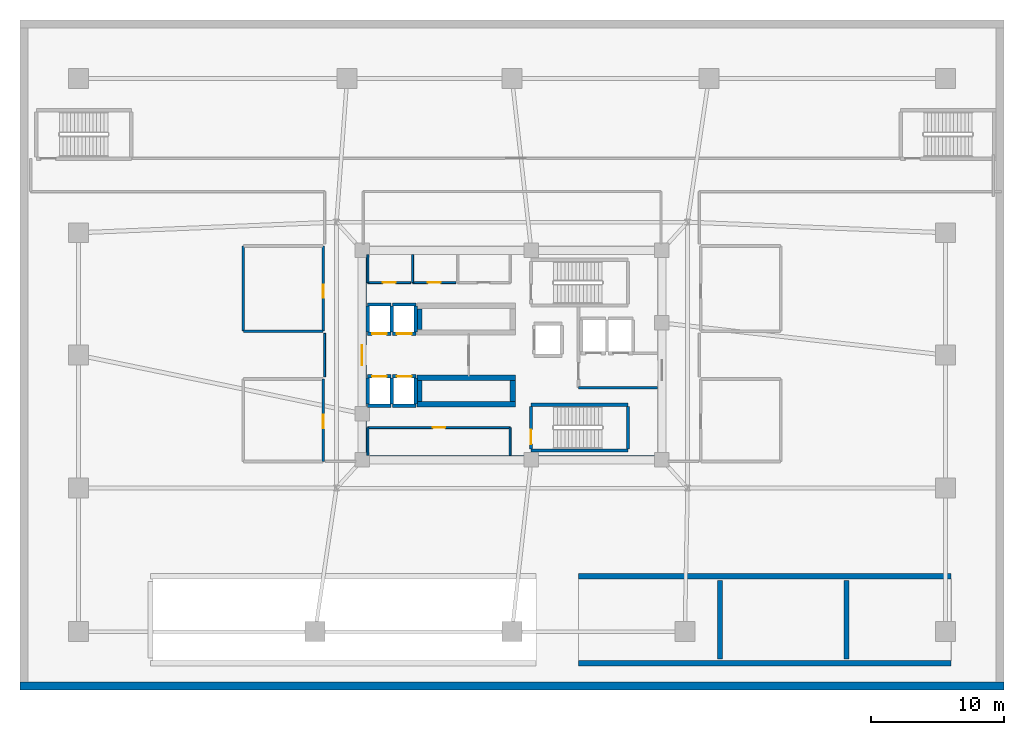
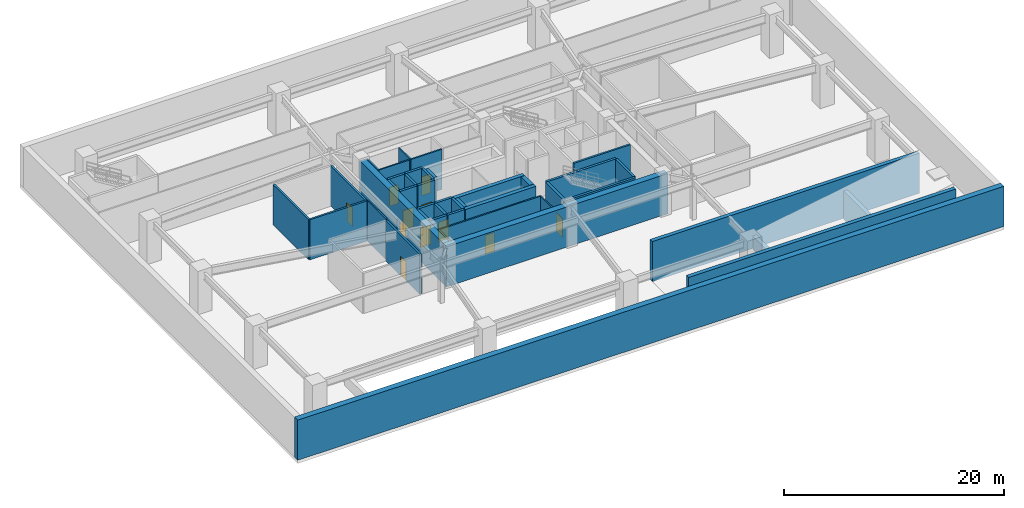
# One storey, part 3 of 7: 43 walls, 11 doors, 11 openings.
"""IFC4 building model written with IfcOpenShell, lengths in metres."""

import ifcopenshell
import ifcopenshell.guid

model = None  # the IFC model being written
_history = None  # IfcOwnerHistory: only IFC2X3 demands one
_inside = {}  # id of a spatial element -> (the spatial element, [elements in it])
_under = {}  # id of a project, library or spatial element -> (it, [spatial elements below it])
_declared = {}  # id of a project -> (the project, [libraries it declares])
_typed = {}  # id of a type object -> (the type object, [elements of that type])
_made_of = {}  # id of a material, layer set ... -> (it, [elements and type objects made of it])


def new_model(schema):
    """Start an empty IFC model of exactly this schema.

    Asked for "IFC4X3", IfcOpenShell would pick the latest addendum, in which some entities
    have other attributes; the version numbers below select the first issue.
    IFC2X3 requires an IfcOwnerHistory on every rooted entity: one is made here for all.
    """
    global model, _history
    if schema == "IFC4X3":
        model = ifcopenshell.file(schema_version=(4, 3, 0, 0))
    else:
        model = ifcopenshell.file(schema=schema)
    _inside.clear()
    _under.clear()
    _declared.clear()
    _typed.clear()
    _made_of.clear()
    _history = None
    if model.schema == "IFC2X3":
        org = make("IfcOrganization", Name="unknown")
        user = make(
            "IfcPersonAndOrganization",
            ThePerson=make("IfcPerson", FamilyName="unknown"),
            TheOrganization=org,
        )
        app = make(
            "IfcApplication",
            ApplicationDeveloper=org,
            Version="unknown",
            ApplicationFullName="unknown",
            ApplicationIdentifier="unknown",
        )
        _history = make(
            "IfcOwnerHistory",
            OwningUser=user,
            OwningApplication=app,
            ChangeAction="ADDED",
            CreationDate=0,
        )
    return model


def make(cls, **values):
    """One entity of the class cls with the attributes given. An attribute that is None is left unset."""
    return model.create_entity(
        cls, **{name: value for name, value in values.items() if value is not None}
    )


def rooted(cls, **values):
    """An entity with a GlobalId (a new one), such as an element, a storey or a relation."""
    return make(cls, GlobalId=ifcopenshell.guid.new(), OwnerHistory=_history, **values)


def si_unit(unit_type, name, prefix=None):
    """IfcSIUnit, for example si_unit("LENGTHUNIT", "METRE", prefix="MILLI")."""
    return make("IfcSIUnit", UnitType=unit_type, Prefix=prefix, Name=name)


def assignment(units):
    """IfcUnitAssignment: the units of a project."""
    return None if units is None else make("IfcUnitAssignment", Units=units)


def point(xyz):
    """IfcCartesianPoint."""
    return None if xyz is None else make("IfcCartesianPoint", Coordinates=xyz)


def direction(xyz):
    """IfcDirection."""
    return None if xyz is None else make("IfcDirection", DirectionRatios=xyz)


def frame(location, z_axis=None, x_axis=None):
    """IfcAxis2Placement3D, a coordinate frame: its origin and axes. An axis left out is left unset."""
    return make(
        "IfcAxis2Placement3D",
        Location=point(location),
        Axis=direction(z_axis),
        RefDirection=direction(x_axis),
    )


def frame_2d(location, x_axis=None):
    """IfcAxis2Placement2D, a coordinate frame in the plane: its origin and x axis."""
    return make(
        "IfcAxis2Placement2D", Location=point(location), RefDirection=direction(x_axis)
    )


def origin():
    """The frame at (0, 0, 0) with its axes left unset."""
    return frame((0.0, 0.0, 0.0))


def place(relative_to, where):
    """IfcLocalPlacement: puts the frame where relative to a parent placement (None: the world)."""
    return make(
        "IfcLocalPlacement", PlacementRelTo=relative_to, RelativePlacement=where
    )


def context(
    kind, dimensions, precision=None, world=None, true_north=None, identifier=None
):
    """IfcGeometricRepresentationContext, for example the 3D "Model" context."""
    return make(
        "IfcGeometricRepresentationContext",
        ContextIdentifier=identifier,
        ContextType=kind,
        CoordinateSpaceDimension=dimensions,
        Precision=precision,
        WorldCoordinateSystem=world,
        TrueNorth=true_north,
    )


def subcontext(parent, identifier, kind, view, scale=None):
    """IfcGeometricRepresentationSubContext, for example "Body" below "Model"."""
    return make(
        "IfcGeometricRepresentationSubContext",
        ContextIdentifier=identifier,
        ContextType=kind,
        ParentContext=parent,
        TargetScale=scale,
        TargetView=view,
    )


def project(units=None, contexts=None):
    """IfcProject with its units and contexts."""
    return rooted(
        "IfcProject",
        Name="project",
        RepresentationContexts=contexts,
        UnitsInContext=assignment(units),
    )


def spatial(cls, under=None, at=None, **own):
    """A site, building, storey or space (cls), placed at a placement, below another one or the project."""
    s = rooted(cls, ObjectPlacement=at, **own)
    if under is not None:
        _under.setdefault(under.id(), (under, []))[1].append(s)
    return s


def profile(cls, at=None, kind="AREA", **sizes):
    """A parametric profile (cls). Its sizes go by their IFC names, for example OverallWidth=200.0."""
    return make(cls, ProfileType=kind, Position=at, **sizes)


def rectangle(**sizes):
    """IfcRectangleProfileDef."""
    return profile("IfcRectangleProfileDef", **sizes)


def extrude(swept, where, along, depth):
    """IfcExtrudedAreaSolid: the profile swept, set in the frame where, extruded along a direction by depth."""
    return make(
        "IfcExtrudedAreaSolid",
        SweptArea=swept,
        Position=where,
        ExtrudedDirection=direction(along),
        Depth=depth,
    )


def shape(context_of_items, identifier, shape_type, items):
    """IfcShapeRepresentation: the items that make up one representation, for example the "Body"."""
    return make(
        "IfcShapeRepresentation",
        ContextOfItems=context_of_items,
        RepresentationIdentifier=identifier,
        RepresentationType=shape_type,
        Items=items,
    )


def material(Name=None, Category=None):
    """IfcMaterial."""
    return make("IfcMaterial", Name=Name, Category=Category)


def layer(
    of_material, thickness, ventilated=None, Name=None, Category=None, Priority=None
):
    """IfcMaterialLayer: one layer of a wall or slab, of a material (None: an air gap)."""
    return make(
        "IfcMaterialLayer",
        Material=of_material,
        LayerThickness=thickness,
        IsVentilated=ventilated,
        Name=Name,
        Category=Category,
        Priority=Priority,
    )


def layer_set(layers, Name=None):
    """IfcMaterialLayerSet."""
    return make("IfcMaterialLayerSet", MaterialLayers=layers, LayerSetName=Name)


def made_of(thing, what):
    """Note that an element or type object is made of a material, layer set ...; save() writes the relation."""
    if what is not None:
        _made_of.setdefault(what.id(), (what, []))[1].append(thing)
    return thing


def type_object(cls, material=None, **own):
    """A type object (cls), such as IfcWallType, which elements share."""
    return made_of(rooted(cls, **own), material)


def element(
    cls,
    number,
    at=None,
    inside=None,
    cuts=None,
    type_object=None,
    material=None,
    context=None,
    identifier="Body",
    shape_type=None,
    held_by="IfcProductDefinitionShape",
    body=None,
    shapes=None,
    **own,
):
    """One element of the class cls, such as IfcWall. Its Tag is "e" and its number.

    at: its placement. inside: the storey or other place that contains it. cuts: it is an
    opening in that element (IfcRelVoidsElement). A single representation is given by context,
    identifier, shape_type and body (its items); several are given by shapes. held_by: the class
    of the entity that holds the representations. save() writes the other relations.
    """
    e = rooted(cls, Tag="e%d" % number, ObjectPlacement=at, **own)
    if body is not None:
        shapes = [shape(context, identifier, shape_type, body)]
    if shapes is not None:
        e.Representation = make(held_by, Representations=shapes)
    if inside is not None:
        _inside.setdefault(inside.id(), (inside, []))[1].append(e)
    if cuts is not None:
        rooted(
            "IfcRelVoidsElement", RelatingBuildingElement=cuts, RelatedOpeningElement=e
        )
    if type_object is not None:
        _typed.setdefault(type_object.id(), (type_object, []))[1].append(e)
    return made_of(e, material)


def fill(opening, filler):
    """IfcRelFillsElement: the door or window that sits in an opening."""
    return rooted(
        "IfcRelFillsElement",
        RelatingOpeningElement=opening,
        RelatedBuildingElement=filler,
    )


def aggregate(whole, parts):
    """IfcRelAggregates: a whole, such as a stair, and the parts it consists of."""
    return rooted("IfcRelAggregates", RelatingObject=whole, RelatedObjects=parts)


def save(model, path):
    """Write the relations noted so far, then the file.

    IfcRelAggregates (storeys below a building ...), IfcRelContainedInSpatialStructure (elements
    in a storey), IfcRelDefinesByType, IfcRelAssociatesMaterial and IfcRelDeclares: one each for
    every whole, place, type object, material and project.
    """
    for whole, parts in _under.values():
        aggregate(whole, parts)
    for where, things in _inside.values():
        rooted(
            "IfcRelContainedInSpatialStructure",
            RelatedElements=things,
            RelatingStructure=where,
        )
    for kind, things in _typed.values():
        rooted("IfcRelDefinesByType", RelatedObjects=things, RelatingType=kind)
    for what, things in _made_of.values():
        rooted("IfcRelAssociatesMaterial", RelatedObjects=things, RelatingMaterial=what)
    for by, libraries in _declared.values():
        rooted("IfcRelDeclares", RelatingContext=by, RelatedDefinitions=libraries)
    model.write(path)


model = new_model("IFC4")

# Units and contexts
model_context = context("Model", 3, precision=1e-05, world=origin(), true_north=direction((0.0, 1.0)))
body_context = subcontext(model_context, "Body", "Model", "MODEL_VIEW")
ifc_project = project(units=[si_unit("LENGTHUNIT", "METRE"), si_unit("AREAUNIT", "SQUARE_METRE"), si_unit("VOLUMEUNIT", "CUBIC_METRE"), si_unit("PLANEANGLEUNIT", "RADIAN"), si_unit("MASSUNIT", "GRAM", prefix="KILO")], contexts=[model_context])

# Site, building, storey
site_placement = place(None, origin())
site = spatial("IfcSite", under=ifc_project, at=site_placement, CompositionType="ELEMENT")
building_placement = place(site_placement, origin())
building = spatial("IfcBuilding", under=site, at=building_placement, Name="Zulverin Broadcast Headquarters", CompositionType="ELEMENT")
storey_placement = place(building_placement, frame((0.0, 0.0, -4.800048828125)))
storey = spatial("IfcBuildingStorey", under=building, at=storey_placement, Name="B1", CompositionType="ELEMENT", Elevation=-4.800048828125)

# Wall
ifc_material_1 = material(Name="Concrete C60/75", Category="concrete")
ifc_layer_1 = layer(ifc_material_1, 0.64990234375, Name="Concrete C60/75", Category="concrete")
ifc_layer_set_1 = layer_set([ifc_layer_1], Name="Concrete C60/75")
wall_type_1 = type_object("IfcWallType", Name="WL-CORE-650", PredefinedType="SHEAR", material=ifc_layer_set_1)
wall_1_placement = place(storey_placement, frame((25.39990234375, 17.324951171875, 0.0), z_axis=(0.0, 0.0, 1.0), x_axis=(1.0, 0.0, 0.0)))
element("IfcWall", 1, at=wall_1_placement, inside=storey, type_object=wall_type_1, Name="B1 Core South Shear Wall", PredefinedType="SHEAR", context=body_context, shape_type="SweptSolid", body=[
    extrude(rectangle(XDim=23.2001953125, YDim=0.64990234375, at=frame_2d((11.60009765625, 0.0))), origin(), (0.0, 0.0, 1.0), 4.449951171875),
])

# Wall, opening, door
wall_2_placement = place(storey_placement, frame((25.72509765625, 17.64990234375, 0.0), z_axis=(0.0, 0.0, 1.0), x_axis=(0.0, 1.0, 0.0)))
wall_2 = element("IfcWall", 2, at=wall_2_placement, inside=storey, type_object=wall_type_1, Name="B1 Core West Shear Wall", PredefinedType="SHEAR", context=body_context, shape_type="SweptSolid", body=[
    extrude(rectangle(XDim=15.10009765625, YDim=0.64990234375, at=frame_2d((7.550048828125, 0.0))), origin(), (0.0, 0.0, 1.0), 4.449951171875),
])
opening_1_placement = place(wall_2_placement, frame((6.800048828125, 0.0, 0.0)))
opening_1 = element("IfcOpeningElement", 3, at=opening_1_placement, cuts=wall_2, Name="Opening D-B1-CW1", PredefinedType="OPENING", context=body_context, shape_type="SweptSolid", body=[
    extrude(rectangle(XDim=1.5, YDim=2.14990234375, at=frame_2d((0.75, 1.074951171875))), frame((0.0, 0.3349609375, 0.0), z_axis=(0.0, -1.0, 0.0), x_axis=(1.0, 0.0, 0.0)), (0.0, 0.0, 1.0), 0.669921875),
])
ifc_material_2 = material(Name="Fire-rated glazed steel frame", Category="steel")
door_type_1 = type_object("IfcDoorType", Name="DR-COR-1500", OperationType="DOUBLE_DOOR_SINGLE_SWING", PredefinedType="DOOR", material=ifc_material_2)
door_1_placement = place(opening_1_placement, origin())
door_1 = element("IfcDoor", 4, at=door_1_placement, inside=storey, type_object=door_type_1, Name="B1 Central Lift Lobby West Portal Door", OperationType="DOUBLE_DOOR_SINGLE_SWING", OverallHeight=2.14990234375, OverallWidth=1.5, PredefinedType="DOOR", context=body_context, shape_type="SweptSolid", body=[
    extrude(rectangle(XDim=1.5, YDim=2.14990234375, at=frame_2d((0.75, 1.074951171875))), frame((0.0, 0.02490234375, 0.0), z_axis=(0.0, -1.0, 0.0), x_axis=(1.0, 0.0, 0.0)), (0.0, 0.0, 1.0), 0.050048828125),
])
fill(opening_1, door_1)

# Wall
ifc_material_3 = material(Name="Concrete C40/50", Category="concrete")
ifc_layer_2 = layer(ifc_material_3, 0.199951171875, Name="Concrete C40/50", Category="concrete")
ifc_layer_set_2 = layer_set([ifc_layer_2], Name="Concrete C40/50")
wall_type_2 = type_object("IfcWallType", Name="WL-FFL-200", PredefinedType="SOLIDWALL", material=ifc_layer_set_2)
wall_3_placement = place(storey_placement, frame((42.0, 22.75, 0.0), z_axis=(0.0, 0.0, 1.0), x_axis=(1.0, 0.0, 0.0)))
element("IfcWall", 5, at=wall_3_placement, inside=storey, type_object=wall_type_2, Name="B1 Firefighting Lift Lobby South Wall", PredefinedType="SOLIDWALL", context=body_context, shape_type="SweptSolid", body=[
    extrude(rectangle(XDim=5.949951171875, YDim=0.199951171875, at=frame_2d((2.97509765625, 0.0))), origin(), (0.0, 0.0, 1.0), 4.449951171875),
])

# Wall, opening, door
wall_4_placement = place(storey_placement, frame((22.800048828125, 17.199951171875, 0.0), z_axis=(0.0, 0.0, 1.0), x_axis=(0.0, 1.0, 0.0)))
wall_4 = element("IfcWall", 6, at=wall_4_placement, inside=storey, type_object=wall_type_2, Name="B1 Main HV Switchgear & Transformer Room E Wall", PredefinedType="SOLIDWALL", context=body_context, shape_type="SweptSolid", body=[
    extrude(rectangle(XDim=6.199951171875, YDim=0.199951171875, at=frame_2d((3.10009765625, 0.0))), origin(), (0.0, 0.0, 1.0), 4.449951171875),
])
opening_2_placement = place(wall_4_placement, frame((2.5, 0.0, 0.0)))
opening_2 = element("IfcOpeningElement", 7, at=opening_2_placement, cuts=wall_4, Name="Opening D-B1-PLT1", PredefinedType="OPENING", context=body_context, shape_type="SweptSolid", body=[
    extrude(rectangle(XDim=1.0, YDim=2.1201171875, at=frame_2d((0.5, 1.06005859375))), frame((0.0, 0.10986328125, 0.0), z_axis=(0.0, -1.0, 0.0), x_axis=(1.0, 0.0, 0.0)), (0.0, 0.0, 1.0), 0.219970703125),
])
ifc_material_4 = material(Name="Hardwood veneer acoustic leaf", Category="wood")
door_type_2 = type_object("IfcDoorType", Name="DR-OFF-1000", OperationType="SINGLE_SWING_LEFT", PredefinedType="DOOR", material=ifc_material_4)
door_2_placement = place(opening_2_placement, origin())
door_2 = element("IfcDoor", 8, at=door_2_placement, inside=storey, type_object=door_type_2, Name="B1 Main HV Switchgear & Transformer Room Door", OperationType="SINGLE_SWING_RIGHT", OverallHeight=2.1201171875, OverallWidth=1.0, PredefinedType="DOOR", context=body_context, shape_type="SweptSolid", body=[
    extrude(rectangle(XDim=1.0, YDim=2.1201171875, at=frame_2d((0.5, 1.06005859375))), frame((0.0, 0.02490234375, 0.0), z_axis=(0.0, -1.0, 0.0), x_axis=(1.0, 0.0, 0.0)), (0.0, 0.0, 1.0), 0.050048828125),
])
fill(opening_2, door_2)

# Walls
wall_5_placement = place(storey_placement, frame((16.800048828125, 27.0, 0.0), z_axis=(0.0, 0.0, 1.0), x_axis=(1.0, 0.0, 0.0)))
element("IfcWall", 9, at=wall_5_placement, inside=storey, type_object=wall_type_2, Name="B1 Standby Diesel Generator Plant Room S Wall", PredefinedType="SOLIDWALL", context=body_context, shape_type="SweptSolid", body=[
    extrude(rectangle(XDim=6.0, YDim=0.199951171875, at=frame_2d((3.0, 0.0))), origin(), (0.0, 0.0, 1.0), 4.449951171875),
])
wall_6_placement = place(storey_placement, frame((16.800048828125, 27.0, 0.0), z_axis=(0.0, 0.0, 1.0), x_axis=(0.0, 1.0, 0.0)))
element("IfcWall", 10, at=wall_6_placement, inside=storey, type_object=wall_type_2, Name="B1 Standby Diesel Generator Plant Room W Wall", PredefinedType="SOLIDWALL", context=body_context, shape_type="SweptSolid", body=[
    extrude(rectangle(XDim=6.39990234375, YDim=0.199951171875, at=frame_2d((3.199951171875, 0.0))), origin(), (0.0, 0.0, 1.0), 4.449951171875),
])

# Wall, opening, door
wall_7_placement = place(storey_placement, frame((22.800048828125, 27.0, 0.0), z_axis=(0.0, 0.0, 1.0), x_axis=(0.0, 1.0, 0.0)))
wall_7 = element("IfcWall", 11, at=wall_7_placement, inside=storey, type_object=wall_type_2, Name="B1 Standby Diesel Generator Plant Room E Wall", PredefinedType="SOLIDWALL", context=body_context, shape_type="SweptSolid", body=[
    extrude(rectangle(XDim=6.39990234375, YDim=0.199951171875, at=frame_2d((3.199951171875, 0.0))), origin(), (0.0, 0.0, 1.0), 4.449951171875),
])
opening_3_placement = place(wall_7_placement, frame((2.5, 0.0, 0.0)))
opening_3 = element("IfcOpeningElement", 12, at=opening_3_placement, cuts=wall_7, Name="Opening D-B1-PLT2", PredefinedType="OPENING", context=body_context, shape_type="SweptSolid", body=[
    extrude(rectangle(XDim=1.0, YDim=2.1201171875, at=frame_2d((0.5, 1.06005859375))), frame((0.0, 0.10986328125, 0.0), z_axis=(0.0, -1.0, 0.0), x_axis=(1.0, 0.0, 0.0)), (0.0, 0.0, 1.0), 0.219970703125),
])
door_3_placement = place(opening_3_placement, origin())
door_3 = element("IfcDoor", 13, at=door_3_placement, inside=storey, type_object=door_type_2, Name="B1 Standby Diesel Generator Plant Room Door", OperationType="SINGLE_SWING_LEFT", OverallHeight=2.1201171875, OverallWidth=1.0, PredefinedType="DOOR", context=body_context, shape_type="SweptSolid", body=[
    extrude(rectangle(XDim=1.0, YDim=2.1201171875, at=frame_2d((0.5, 1.06005859375))), frame((0.0, 0.02490234375, 0.0), z_axis=(0.0, -1.0, 0.0), x_axis=(1.0, 0.0, 0.0)), (0.0, 0.0, 1.0), 0.050048828125),
])
fill(opening_3, door_3)

ifc_material_5 = material(Name="Fire-rated gypsum stud partition", Category="gypsum")
ifc_layer_3 = layer(ifc_material_5, 0.14990234375, Name="Fire-rated gypsum stud partition", Category="gypsum")
ifc_layer_set_3 = layer_set([ifc_layer_3], Name="Fire-rated gypsum stud partition")
wall_type_3 = type_object("IfcWallType", Name="WL-PART-150", PredefinedType="PARTITIONING", material=ifc_layer_set_3)
wall_8_placement = place(storey_placement, frame((26.169921875, 30.64990234375, 0.0), z_axis=(0.0, 0.0, 1.0), x_axis=(1.0, 0.0, 0.0)))
wall_8 = element("IfcWall", 14, at=wall_8_placement, inside=storey, type_object=wall_type_3, Name="B1 Core Accessible WC Front Wall", PredefinedType="PARTITIONING", context=body_context, shape_type="SweptSolid", body=[
    extrude(rectangle(XDim=3.2001953125, YDim=0.14990234375, at=frame_2d((1.60009765625, 0.0))), origin(), (0.0, 0.0, 1.0), 4.449951171875),
])
opening_4_placement = place(wall_8_placement, frame((1.125, 0.0, 0.0)))
opening_4 = element("IfcOpeningElement", 15, at=opening_4_placement, cuts=wall_8, Name="Opening D-B1-NC1", PredefinedType="OPENING", context=body_context, shape_type="SweptSolid", body=[
    extrude(rectangle(XDim=0.949951171875, YDim=2.10009765625, at=frame_2d((0.47509765625, 1.050048828125))), frame((0.0, 0.0849609375, 0.0), z_axis=(0.0, -1.0, 0.0), x_axis=(1.0, 0.0, 0.0)), (0.0, 0.0, 1.0), 0.169921875),
])
ifc_material_6 = material(Name="Fire-rated moisture-resistant laminate leaf", Category="wood")
door_type_3 = type_object("IfcDoorType", Name="DR-WC-950", OperationType="SINGLE_SWING_LEFT", PredefinedType="DOOR", material=ifc_material_6)
door_4_placement = place(opening_4_placement, origin())
door_4 = element("IfcDoor", 16, at=door_4_placement, inside=storey, type_object=door_type_3, Name="B1 Accessible WC Door", OperationType="SINGLE_SWING_LEFT", OverallHeight=2.10009765625, OverallWidth=0.949951171875, PredefinedType="DOOR", context=body_context, shape_type="SweptSolid", body=[
    extrude(rectangle(XDim=0.949951171875, YDim=2.10009765625, at=frame_2d((0.47509765625, 1.050048828125))), frame((0.0, 0.02490234375, 0.0), z_axis=(0.0, -1.0, 0.0), x_axis=(1.0, 0.0, 0.0)), (0.0, 0.0, 1.0), 0.050048828125),
])
fill(opening_4, door_4)

# Wall
wall_9_placement = place(storey_placement, frame((26.169921875, 30.64990234375, 0.0), z_axis=(0.0, 0.0, 1.0), x_axis=(0.0, 1.0, 0.0)))
element("IfcWall", 17, at=wall_9_placement, inside=storey, type_object=wall_type_3, Name="B1 Core Accessible WC West Wall", PredefinedType="PARTITIONING", context=body_context, shape_type="SweptSolid", body=[
    extrude(rectangle(XDim=2.10009765625, YDim=0.14990234375, at=frame_2d((1.050048828125, 0.0))), origin(), (0.0, 0.0, 1.0), 4.449951171875),
])

# Wall, opening, door
wall_10_placement = place(storey_placement, frame((29.530029296875, 30.64990234375, 0.0), z_axis=(0.0, 0.0, 1.0), x_axis=(1.0, 0.0, 0.0)))
wall_10 = element("IfcWall", 18, at=wall_10_placement, inside=storey, type_object=wall_type_3, Name="B1 Core Male WC Front Wall", PredefinedType="PARTITIONING", context=body_context, shape_type="SweptSolid", body=[
    extrude(rectangle(XDim=3.239990234375, YDim=0.14990234375, at=frame_2d((1.6201171875, 0.0))), origin(), (0.0, 0.0, 1.0), 4.449951171875),
])
opening_5_placement = place(wall_10_placement, frame((1.14501953125, 0.0, 0.0)))
opening_5 = element("IfcOpeningElement", 19, at=opening_5_placement, cuts=wall_10, Name="Opening D-B1-NC2", PredefinedType="OPENING", context=body_context, shape_type="SweptSolid", body=[
    extrude(rectangle(XDim=0.949951171875, YDim=2.10009765625, at=frame_2d((0.47509765625, 1.050048828125))), frame((0.0, 0.0849609375, 0.0), z_axis=(0.0, -1.0, 0.0), x_axis=(1.0, 0.0, 0.0)), (0.0, 0.0, 1.0), 0.169921875),
])
door_5_placement = place(opening_5_placement, origin())
door_5 = element("IfcDoor", 20, at=door_5_placement, inside=storey, type_object=door_type_3, Name="B1 Male WC Door", OperationType="SINGLE_SWING_RIGHT", OverallHeight=2.10009765625, OverallWidth=0.949951171875, PredefinedType="DOOR", context=body_context, shape_type="SweptSolid", body=[
    extrude(rectangle(XDim=0.949951171875, YDim=2.10009765625, at=frame_2d((0.47509765625, 1.050048828125))), frame((0.0, 0.02490234375, 0.0), z_axis=(0.0, -1.0, 0.0), x_axis=(1.0, 0.0, 0.0)), (0.0, 0.0, 1.0), 0.050048828125),
])
fill(opening_5, door_5)

# Wall
wall_11_placement = place(storey_placement, frame((29.530029296875, 30.64990234375, 0.0), z_axis=(0.0, 0.0, 1.0), x_axis=(0.0, 1.0, 0.0)))
element("IfcWall", 21, at=wall_11_placement, inside=storey, type_object=wall_type_3, Name="B1 Core Male WC West Wall", PredefinedType="PARTITIONING", context=body_context, shape_type="SweptSolid", body=[
    extrude(rectangle(XDim=2.10009765625, YDim=0.14990234375, at=frame_2d((1.050048828125, 0.0))), origin(), (0.0, 0.0, 1.0), 4.449951171875),
])

# Wall, opening, door
wall_12_placement = place(storey_placement, frame((26.169921875, 19.75, 0.0), z_axis=(0.0, 0.0, 1.0), x_axis=(1.0, 0.0, 0.0)))
wall_12 = element("IfcWall", 22, at=wall_12_placement, inside=storey, type_object=wall_type_3, Name="B1 Core Female WC & Facilities Room Front Wall", PredefinedType="PARTITIONING", context=body_context, shape_type="SweptSolid", body=[
    extrude(rectangle(XDim=10.68017578125, YDim=0.14990234375, at=frame_2d((5.340087890625, 0.0))), origin(), (0.0, 0.0, 1.0), 4.449951171875),
])
opening_6_placement = place(wall_12_placement, frame((4.864990234375, 0.0, 0.0)))
opening_6 = element("IfcOpeningElement", 23, at=opening_6_placement, cuts=wall_12, Name="Opening D-B1-SC1", PredefinedType="OPENING", context=body_context, shape_type="SweptSolid", body=[
    extrude(rectangle(XDim=0.949951171875, YDim=2.10009765625, at=frame_2d((0.47509765625, 1.050048828125))), frame((0.0, 0.0849609375, 0.0), z_axis=(0.0, -1.0, 0.0), x_axis=(1.0, 0.0, 0.0)), (0.0, 0.0, 1.0), 0.169921875),
])
door_6_placement = place(opening_6_placement, origin())
door_6 = element("IfcDoor", 24, at=door_6_placement, inside=storey, type_object=door_type_3, Name="B1 Female WC & Facilities Room Door", OperationType="SINGLE_SWING_RIGHT", OverallHeight=2.10009765625, OverallWidth=0.949951171875, PredefinedType="DOOR", context=body_context, shape_type="SweptSolid", body=[
    extrude(rectangle(XDim=0.949951171875, YDim=2.10009765625, at=frame_2d((0.47509765625, 1.050048828125))), frame((0.0, 0.02490234375, 0.0), z_axis=(0.0, -1.0, 0.0), x_axis=(1.0, 0.0, 0.0)), (0.0, 0.0, 1.0), 0.050048828125),
])
fill(opening_6, door_6)

# Walls
for number, where, z_axis, x_axis, name in (
    (25, (26.169921875, 17.64990234375, 0.0), (0.0, 0.0, 1.0), (0.0, 1.0, 0.0), "B1 Core Female WC & Facilities Room West Wall"),
    (26, (36.85009765625, 17.64990234375, 0.0), (0.0, 0.0, 1.0), (0.0, 1.0, 0.0), "B1 Core Female WC & Facilities Room East Wall"),
):
    element("IfcWall", number, at=place(storey_placement, frame(where, z_axis=z_axis, x_axis=x_axis)), inside=storey, type_object=wall_type_3, Name=name, PredefinedType="PARTITIONING", context=body_context, shape_type="SweptSolid", body=[
        extrude(rectangle(XDim=2.10009765625, YDim=0.14990234375, at=frame_2d((1.050048828125, 0.0))), origin(), (0.0, 0.0, 1.0), 4.449951171875),
    ])
wall_13_placement = place(storey_placement, frame((22.89990234375, 23.56005859375, 0.0), z_axis=(0.0, 0.0, 1.0), x_axis=(0.0, 1.0, 0.0)))
element("IfcWall", 27, at=wall_13_placement, inside=storey, type_object=wall_type_3, Name="B1 Gallery Partition Wall CG-06", PredefinedType="PARTITIONING", context=body_context, shape_type="SweptSolid", body=[
    extrude(rectangle(XDim=3.280029296875, YDim=0.14990234375, at=frame_2d((1.64013671875, 0.0))), origin(), (0.0, 0.0, 1.0), 4.449951171875),
])
ifc_material_7 = material(Name="Concrete C50/60", Category="concrete")
ifc_layer_4 = layer(ifc_material_7, 0.39990234375, Name="Concrete C50/60", Category="concrete")
ifc_layer_set_4 = layer_set([ifc_layer_4], Name="Concrete C50/60")
wall_type_4 = type_object("IfcWallType", Name="WL-PIT-400", PredefinedType="SOLIDWALL", material=ifc_layer_set_4)
for number, where, z_axis, x_axis, name in (
    (28, (29.85009765625, 21.5, 0.0), (0.0, 0.0, 1.0), (1.0, 0.0, 0.0), "B1 Mid-Rise Zoned Lift Pit Slab Support Wall S"),
    (29, (29.85009765625, 23.5, 0.0), (0.0, 0.0, 1.0), (1.0, 0.0, 0.0), "B1 Mid-Rise Zoned Lift Pit Slab Support Wall N"),
):
    element("IfcWall", number, at=place(storey_placement, frame(where, z_axis=z_axis, x_axis=x_axis)), inside=storey, type_object=wall_type_4, Name=name, PredefinedType="SOLIDWALL", context=body_context, shape_type="SweptSolid", body=[
        extrude(rectangle(XDim=7.39990234375, YDim=0.39990234375, at=frame_2d((3.699951171875, 0.0))), origin(), (0.0, 0.0, 1.0), 4.400146484375),
    ])
for number, where, z_axis, x_axis, name in (
    (30, (30.050048828125, 21.719970703125, 0.0), (0.0, 0.0, 1.0), (0.0, 1.0, 0.0), "B1 Mid-Rise Zoned Lift Pit Slab Support Wall W"),
    (31, (37.050048828125, 21.719970703125, 0.0), (0.0, 0.0, 1.0), (0.0, 1.0, 0.0), "B1 Mid-Rise Zoned Lift Pit Slab Support Wall E"),
):
    element("IfcWall", number, at=place(storey_placement, frame(where, z_axis=z_axis, x_axis=x_axis)), inside=storey, type_object=wall_type_4, Name=name, PredefinedType="SOLIDWALL", context=body_context, shape_type="SweptSolid", body=[
        extrude(rectangle(XDim=1.56005859375, YDim=0.39990234375, at=frame_2d((0.780029296875, 0.0))), origin(), (0.0, 0.0, 1.0), 4.400146484375),
    ])
wall_14_placement = place(storey_placement, frame((30.050048828125, 27.1201171875, 0.0), z_axis=(0.0, 0.0, 1.0), x_axis=(0.0, 1.0, 0.0)))
element("IfcWall", 32, at=wall_14_placement, inside=storey, type_object=wall_type_4, Name="B1 High-Rise Zoned Lift Pit Slab Support Wall W", PredefinedType="SOLIDWALL", context=body_context, shape_type="SweptSolid", body=[
    extrude(rectangle(XDim=1.559814453125, YDim=0.39990234375, at=frame_2d((0.77978515625, 0.0))), origin(), (0.0, 0.0, 1.0), 4.400146484375),
])
wall_15_placement = place(storey_placement, frame((52.639892578125, 2.35009765625, 0.0), z_axis=(0.0, 0.0, 1.0), x_axis=(0.0, 1.0, 0.0)))
element("IfcWall", 33, at=wall_15_placement, inside=storey, type_object=wall_type_4, Name="Car Park Structural Vehicle Ramp Slab R2 (B1 to L00 Grade Exit) Pier Wall 1", PredefinedType="SOLIDWALL", context=body_context, shape_type="SweptSolid", body=[
    extrude(rectangle(XDim=5.89990234375, YDim=0.39990234375, at=frame_2d((2.949951171875, 0.0))), origin(), (0.0, 0.0, 1.0), 1.504150390625),
])
wall_16_placement = place(storey_placement, frame((62.159912109375, 2.35009765625, 0.0), z_axis=(0.0, 0.0, 1.0), x_axis=(0.0, 1.0, 0.0)))
element("IfcWall", 34, at=wall_16_placement, inside=storey, type_object=wall_type_4, Name="Car Park Structural Vehicle Ramp Slab R2 (B1 to L00 Grade Exit) Pier Wall 2", PredefinedType="SOLIDWALL", context=body_context, shape_type="SweptSolid", body=[
    extrude(rectangle(XDim=5.89990234375, YDim=0.39990234375, at=frame_2d((2.949951171875, 0.0))), origin(), (0.0, 0.0, 1.0), 3.135986328125),
])
for number, where, z_axis, x_axis, name in (
    (35, (42.0, 2.02001953125, 0.0), (0.0, 0.0, 1.0), (1.0, 0.0, 0.0), "Car Park Structural Vehicle Ramp Slab R2 (B1 to L00 Grade Exit) Side Cheek Wall S"),
    (36, (42.0, 8.580078125, 0.0), (0.0, 0.0, 1.0), (1.0, 0.0, 0.0), "Car Park Structural Vehicle Ramp Slab R2 (B1 to L00 Grade Exit) Side Cheek Wall N"),
):
    element("IfcWall", number, at=place(storey_placement, frame(where, z_axis=z_axis, x_axis=x_axis)), inside=storey, type_object=wall_type_4, Name=name, PredefinedType="SOLIDWALL", context=body_context, shape_type="SweptSolid", body=[
        extrude(rectangle(XDim=28.0, YDim=0.39990234375, at=frame_2d((14.0, 0.0))), origin(), (0.0, 0.0, 1.0), 4.449951171875),
    ])
ifc_layer_5 = layer(ifc_material_3, 0.60009765625, Name="Concrete C40/50", Category="concrete")
ifc_layer_set_5 = layer_set([ifc_layer_5], Name="Concrete C40/50")
wall_type_5 = type_object("IfcWallType", Name="WL-RET-600", PredefinedType="SOLIDWALL", material=ifc_layer_set_5)
wall_17_placement = place(storey_placement, frame((0.0, 0.300048828125, 0.0), z_axis=(0.0, 0.0, 1.0), x_axis=(1.0, 0.0, 0.0)))
element("IfcWall", 37, at=wall_17_placement, inside=storey, type_object=wall_type_5, Name="B1 Basement Retaining Wall S", PredefinedType="SOLIDWALL", context=body_context, shape_type="SweptSolid", body=[
    extrude(rectangle(XDim=74.0, YDim=0.60009765625, at=frame_2d((37.0, 0.0))), origin(), (0.0, 0.0, 1.0), 4.449951171875),
])
ifc_layer_6 = layer(ifc_material_7, 0.25, Name="Concrete C50/60", Category="concrete")
ifc_layer_set_6 = layer_set([ifc_layer_6], Name="Concrete C50/60")
wall_type_6 = type_object("IfcWallType", Name="WL-SHAFT-250", PredefinedType="SHEAR", material=ifc_layer_set_6)
for number, where, z_axis, x_axis, name in (
    (38, (38.425048828125, 18.02490234375, 0.0), (0.0, 0.0, 1.0), (1.0, 0.0, 0.0), "B1 ST-2 Enclosure Wall S"),
    (39, (38.425048828125, 21.47509765625, 0.0), (0.0, 0.0, 1.0), (1.0, 0.0, 0.0), "B1 ST-2 Enclosure Wall N"),
):
    element("IfcWall", number, at=place(storey_placement, frame(where, z_axis=z_axis, x_axis=x_axis)), inside=storey, type_object=wall_type_6, Name=name, PredefinedType="SHEAR", context=body_context, shape_type="SweptSolid", body=[
        extrude(rectangle(XDim=7.300048828125, YDim=0.25, at=frame_2d((3.64990234375, 0.0))), origin(), (0.0, 0.0, 1.0), 4.449951171875),
    ])

# Wall, opening, door
wall_18_placement = place(storey_placement, frame((38.425048828125, 18.14990234375, 0.0), z_axis=(0.0, 0.0, 1.0), x_axis=(0.0, 1.0, 0.0)))
wall_18 = element("IfcWall", 40, at=wall_18_placement, inside=storey, type_object=wall_type_6, Name="B1 ST-2 Enclosure Wall W", PredefinedType="SHEAR", context=body_context, shape_type="SweptSolid", body=[
    extrude(rectangle(XDim=3.2001953125, YDim=0.25, at=frame_2d((1.60009765625, 0.0))), origin(), (0.0, 0.0, 1.0), 4.449951171875),
])
opening_7_placement = place(wall_18_placement, frame((0.35009765625, 0.0, 0.0)))
opening_7 = element("IfcOpeningElement", 41, at=opening_7_placement, cuts=wall_18, Name="Opening D-B1-ST-2", PredefinedType="OPENING", context=body_context, shape_type="SweptSolid", body=[
    extrude(rectangle(XDim=1.10009765625, YDim=2.14990234375, at=frame_2d((0.550048828125, 1.074951171875))), frame((0.0, 0.135009765625, 0.0), z_axis=(0.0, -1.0, 0.0), x_axis=(1.0, 0.0, 0.0)), (0.0, 0.0, 1.0), 0.27001953125),
])
ifc_material_8 = material(Name="Fire-rated steel leaf and frame", Category="steel")
door_type_4 = type_object("IfcDoorType", Name="DR-STAIR-1100", OperationType="SINGLE_SWING_LEFT", PredefinedType="DOOR", material=ifc_material_8)
door_7_placement = place(opening_7_placement, origin())
door_7 = element("IfcDoor", 42, at=door_7_placement, inside=storey, type_object=door_type_4, Name="B1 Exit Stair ST-2 Fire Door", OperationType="SINGLE_SWING_RIGHT", OverallHeight=2.14990234375, OverallWidth=1.10009765625, PredefinedType="DOOR", context=body_context, shape_type="SweptSolid", body=[
    extrude(rectangle(XDim=1.10009765625, YDim=2.14990234375, at=frame_2d((0.550048828125, 1.074951171875))), frame((0.0, 0.02490234375, 0.0), z_axis=(0.0, -1.0, 0.0), x_axis=(1.0, 0.0, 0.0)), (0.0, 0.0, 1.0), 0.050048828125),
])
fill(opening_7, door_7)

# Wall
wall_19_placement = place(storey_placement, frame((45.72509765625, 18.14990234375, 0.0), z_axis=(0.0, 0.0, 1.0), x_axis=(0.0, 1.0, 0.0)))
element("IfcWall", 43, at=wall_19_placement, inside=storey, type_object=wall_type_6, Name="B1 ST-2 Enclosure Wall E", PredefinedType="SHEAR", context=body_context, shape_type="SweptSolid", body=[
    extrude(rectangle(XDim=3.2001953125, YDim=0.25, at=frame_2d((1.60009765625, 0.0))), origin(), (0.0, 0.0, 1.0), 4.449951171875),
])

# Wall, opening, door
wall_20_placement = place(storey_placement, frame((26.14990234375, 26.800048828125, 0.0), z_axis=(0.0, 0.0, 1.0), x_axis=(1.0, 0.0, 0.0)))
wall_20 = element("IfcWall", 44, at=wall_20_placement, inside=storey, type_object=wall_type_6, Name="B1 Lift PL-L1 Shaft Wall S", PredefinedType="SHEAR", context=body_context, shape_type="SweptSolid", body=[
    extrude(rectangle(XDim=1.75, YDim=0.25, at=frame_2d((0.875, 0.0))), origin(), (0.0, 0.0, 1.0), 4.449951171875),
])
opening_8_placement = place(wall_20_placement, frame((0.324951171875, 0.0, 0.0)))
opening_8 = element("IfcOpeningElement", 45, at=opening_8_placement, cuts=wall_20, Name="Opening LD-PL-L1-B1", PredefinedType="OPENING", context=body_context, shape_type="SweptSolid", body=[
    extrude(rectangle(XDim=1.10009765625, YDim=2.14990234375, at=frame_2d((0.550048828125, 1.074951171875))), frame((0.0, 0.135009765625, 0.0), z_axis=(0.0, -1.0, 0.0), x_axis=(1.0, 0.0, 0.0)), (0.0, 0.0, 1.0), 0.27001953125),
])
ifc_material_9 = material(Name="Brushed stainless steel landing", Category="steel")
door_type_5 = type_object("IfcDoorType", Name="LD-PASS-1100", OperationType="DOUBLE_DOOR_SLIDING", PredefinedType="DOOR", material=ifc_material_9)
door_8_placement = place(opening_8_placement, origin())
door_8 = element("IfcDoor", 46, at=door_8_placement, inside=storey, type_object=door_type_5, Name="B1 Lift PL-L1 Sliding Landing Door", OperationType="DOUBLE_DOOR_SLIDING", OverallHeight=2.14990234375, OverallWidth=1.10009765625, PredefinedType="DOOR", context=body_context, shape_type="SweptSolid", body=[
    extrude(rectangle(XDim=1.10009765625, YDim=2.14990234375, at=frame_2d((0.550048828125, 1.074951171875))), frame((0.0, 0.02490234375, 0.0), z_axis=(0.0, -1.0, 0.0), x_axis=(1.0, 0.0, 0.0)), (0.0, 0.0, 1.0), 0.050048828125),
])
fill(opening_8, door_8)

# Walls
wall_21_placement = place(storey_placement, frame((26.14990234375, 29.0, 0.0), z_axis=(0.0, 0.0, 1.0), x_axis=(1.0, 0.0, 0.0)))
element("IfcWall", 47, at=wall_21_placement, inside=storey, type_object=wall_type_6, Name="B1 Lift PL-L1 Shaft Wall N", PredefinedType="SHEAR", context=body_context, shape_type="SweptSolid", body=[
    extrude(rectangle(XDim=1.75, YDim=0.25, at=frame_2d((0.875, 0.0))), origin(), (0.0, 0.0, 1.0), 4.449951171875),
])
for number, where, z_axis, x_axis, name in (
    (48, (26.14990234375, 26.919921875, 0.0), (0.0, 0.0, 1.0), (0.0, 1.0, 0.0), "B1 Lift PL-L1 Shaft Wall W"),
    (49, (27.9599609375, 26.919921875, 0.0), (0.0, 0.0, 1.0), (0.0, 1.0, 0.0), "B1 Lift PL-L1 Shaft Wall E"),
):
    element("IfcWall", number, at=place(storey_placement, frame(where, z_axis=z_axis, x_axis=x_axis)), inside=storey, type_object=wall_type_6, Name=name, PredefinedType="SHEAR", context=body_context, shape_type="SweptSolid", body=[
        extrude(rectangle(XDim=1.9599609375, YDim=0.25, at=frame_2d((0.97998046875, 0.0))), origin(), (0.0, 0.0, 1.0), 4.449951171875),
    ])

# Wall, opening, door
wall_22_placement = place(storey_placement, frame((28.02001953125, 26.800048828125, 0.0), z_axis=(0.0, 0.0, 1.0), x_axis=(1.0, 0.0, 0.0)))
wall_22 = element("IfcWall", 50, at=wall_22_placement, inside=storey, type_object=wall_type_6, Name="B1 Lift PL-L2 Shaft Wall S", PredefinedType="SHEAR", context=body_context, shape_type="SweptSolid", body=[
    extrude(rectangle(XDim=1.75, YDim=0.25, at=frame_2d((0.875, 0.0))), origin(), (0.0, 0.0, 1.0), 4.449951171875),
])
opening_9_placement = place(wall_22_placement, frame((0.324951171875, 0.0, 0.0)))
opening_9 = element("IfcOpeningElement", 51, at=opening_9_placement, cuts=wall_22, Name="Opening LD-PL-L2-B1", PredefinedType="OPENING", context=body_context, shape_type="SweptSolid", body=[
    extrude(rectangle(XDim=1.10009765625, YDim=2.14990234375, at=frame_2d((0.550048828125, 1.074951171875))), frame((0.0, 0.135009765625, 0.0), z_axis=(0.0, -1.0, 0.0), x_axis=(1.0, 0.0, 0.0)), (0.0, 0.0, 1.0), 0.27001953125),
])
door_9_placement = place(opening_9_placement, origin())
door_9 = element("IfcDoor", 52, at=door_9_placement, inside=storey, type_object=door_type_5, Name="B1 Lift PL-L2 Sliding Landing Door", OperationType="DOUBLE_DOOR_SLIDING", OverallHeight=2.14990234375, OverallWidth=1.10009765625, PredefinedType="DOOR", context=body_context, shape_type="SweptSolid", body=[
    extrude(rectangle(XDim=1.10009765625, YDim=2.14990234375, at=frame_2d((0.550048828125, 1.074951171875))), frame((0.0, 0.02490234375, 0.0), z_axis=(0.0, -1.0, 0.0), x_axis=(1.0, 0.0, 0.0)), (0.0, 0.0, 1.0), 0.050048828125),
])
fill(opening_9, door_9)

# Walls
wall_23_placement = place(storey_placement, frame((28.02001953125, 29.0, 0.0), z_axis=(0.0, 0.0, 1.0), x_axis=(1.0, 0.0, 0.0)))
element("IfcWall", 53, at=wall_23_placement, inside=storey, type_object=wall_type_6, Name="B1 Lift PL-L2 Shaft Wall N", PredefinedType="SHEAR", context=body_context, shape_type="SweptSolid", body=[
    extrude(rectangle(XDim=1.75, YDim=0.25, at=frame_2d((0.875, 0.0))), origin(), (0.0, 0.0, 1.0), 4.449951171875),
])
wall_24_placement = place(storey_placement, frame((29.77001953125, 26.919921875, 0.0), z_axis=(0.0, 0.0, 1.0), x_axis=(0.0, 1.0, 0.0)))
element("IfcWall", 54, at=wall_24_placement, inside=storey, type_object=wall_type_6, Name="B1 Lift PL-L2 Shaft Wall E", PredefinedType="SHEAR", context=body_context, shape_type="SweptSolid", body=[
    extrude(rectangle(XDim=1.9599609375, YDim=0.25, at=frame_2d((0.97998046875, 0.0))), origin(), (0.0, 0.0, 1.0), 4.449951171875),
])
wall_25_placement = place(storey_placement, frame((26.14990234375, 21.39990234375, 0.0), z_axis=(0.0, 0.0, 1.0), x_axis=(1.0, 0.0, 0.0)))
element("IfcWall", 55, at=wall_25_placement, inside=storey, type_object=wall_type_6, Name="B1 Lift PL-L3 Shaft Wall S", PredefinedType="SHEAR", context=body_context, shape_type="SweptSolid", body=[
    extrude(rectangle(XDim=1.75, YDim=0.25, at=frame_2d((0.875, 0.0))), origin(), (0.0, 0.0, 1.0), 4.449951171875),
])

# Wall, opening, door
wall_26_placement = place(storey_placement, frame((26.14990234375, 23.60009765625, 0.0), z_axis=(0.0, 0.0, 1.0), x_axis=(1.0, 0.0, 0.0)))
wall_26 = element("IfcWall", 56, at=wall_26_placement, inside=storey, type_object=wall_type_6, Name="B1 Lift PL-L3 Shaft Wall N", PredefinedType="SHEAR", context=body_context, shape_type="SweptSolid", body=[
    extrude(rectangle(XDim=1.75, YDim=0.25, at=frame_2d((0.875, 0.0))), origin(), (0.0, 0.0, 1.0), 4.449951171875),
])
opening_10_placement = place(wall_26_placement, frame((0.324951171875, 0.0, 0.0)))
opening_10 = element("IfcOpeningElement", 57, at=opening_10_placement, cuts=wall_26, Name="Opening LD-PL-L3-B1", PredefinedType="OPENING", context=body_context, shape_type="SweptSolid", body=[
    extrude(rectangle(XDim=1.10009765625, YDim=2.14990234375, at=frame_2d((0.550048828125, 1.074951171875))), frame((0.0, 0.135009765625, 0.0), z_axis=(0.0, -1.0, 0.0), x_axis=(1.0, 0.0, 0.0)), (0.0, 0.0, 1.0), 0.27001953125),
])
door_10_placement = place(opening_10_placement, origin())
door_10 = element("IfcDoor", 58, at=door_10_placement, inside=storey, type_object=door_type_5, Name="B1 Lift PL-L3 Sliding Landing Door", OperationType="DOUBLE_DOOR_SLIDING", OverallHeight=2.14990234375, OverallWidth=1.10009765625, PredefinedType="DOOR", context=body_context, shape_type="SweptSolid", body=[
    extrude(rectangle(XDim=1.10009765625, YDim=2.14990234375, at=frame_2d((0.550048828125, 1.074951171875))), frame((0.0, 0.02490234375, 0.0), z_axis=(0.0, -1.0, 0.0), x_axis=(1.0, 0.0, 0.0)), (0.0, 0.0, 1.0), 0.050048828125),
])
fill(opening_10, door_10)

# Walls
for number, where, z_axis, x_axis, name in (
    (59, (26.14990234375, 21.52001953125, 0.0), (0.0, 0.0, 1.0), (0.0, 1.0, 0.0), "B1 Lift PL-L3 Shaft Wall W"),
    (60, (27.9599609375, 21.52001953125, 0.0), (0.0, 0.0, 1.0), (0.0, 1.0, 0.0), "B1 Lift PL-L3 Shaft Wall E"),
):
    element("IfcWall", number, at=place(storey_placement, frame(where, z_axis=z_axis, x_axis=x_axis)), inside=storey, type_object=wall_type_6, Name=name, PredefinedType="SHEAR", context=body_context, shape_type="SweptSolid", body=[
        extrude(rectangle(XDim=1.9599609375, YDim=0.25, at=frame_2d((0.97998046875, 0.0))), origin(), (0.0, 0.0, 1.0), 4.449951171875),
    ])
wall_27_placement = place(storey_placement, frame((28.02001953125, 21.39990234375, 0.0), z_axis=(0.0, 0.0, 1.0), x_axis=(1.0, 0.0, 0.0)))
element("IfcWall", 61, at=wall_27_placement, inside=storey, type_object=wall_type_6, Name="B1 Lift PL-L4 Shaft Wall S", PredefinedType="SHEAR", context=body_context, shape_type="SweptSolid", body=[
    extrude(rectangle(XDim=1.75, YDim=0.25, at=frame_2d((0.875, 0.0))), origin(), (0.0, 0.0, 1.0), 4.449951171875),
])

# Wall, opening, door
wall_28_placement = place(storey_placement, frame((28.02001953125, 23.60009765625, 0.0), z_axis=(0.0, 0.0, 1.0), x_axis=(1.0, 0.0, 0.0)))
wall_28 = element("IfcWall", 62, at=wall_28_placement, inside=storey, type_object=wall_type_6, Name="B1 Lift PL-L4 Shaft Wall N", PredefinedType="SHEAR", context=body_context, shape_type="SweptSolid", body=[
    extrude(rectangle(XDim=1.75, YDim=0.25, at=frame_2d((0.875, 0.0))), origin(), (0.0, 0.0, 1.0), 4.449951171875),
])
opening_11_placement = place(wall_28_placement, frame((0.324951171875, 0.0, 0.0)))
opening_11 = element("IfcOpeningElement", 63, at=opening_11_placement, cuts=wall_28, Name="Opening LD-PL-L4-B1", PredefinedType="OPENING", context=body_context, shape_type="SweptSolid", body=[
    extrude(rectangle(XDim=1.10009765625, YDim=2.14990234375, at=frame_2d((0.550048828125, 1.074951171875))), frame((0.0, 0.135009765625, 0.0), z_axis=(0.0, -1.0, 0.0), x_axis=(1.0, 0.0, 0.0)), (0.0, 0.0, 1.0), 0.27001953125),
])
door_11_placement = place(opening_11_placement, origin())
door_11 = element("IfcDoor", 64, at=door_11_placement, inside=storey, type_object=door_type_5, Name="B1 Lift PL-L4 Sliding Landing Door", OperationType="DOUBLE_DOOR_SLIDING", OverallHeight=2.14990234375, OverallWidth=1.10009765625, PredefinedType="DOOR", context=body_context, shape_type="SweptSolid", body=[
    extrude(rectangle(XDim=1.10009765625, YDim=2.14990234375, at=frame_2d((0.550048828125, 1.074951171875))), frame((0.0, 0.02490234375, 0.0), z_axis=(0.0, -1.0, 0.0), x_axis=(1.0, 0.0, 0.0)), (0.0, 0.0, 1.0), 0.050048828125),
])
fill(opening_11, door_11)

# Wall
wall_29_placement = place(storey_placement, frame((29.77001953125, 21.52001953125, 0.0), z_axis=(0.0, 0.0, 1.0), x_axis=(0.0, 1.0, 0.0)))
element("IfcWall", 65, at=wall_29_placement, inside=storey, type_object=wall_type_6, Name="B1 Lift PL-L4 Shaft Wall E", PredefinedType="SHEAR", context=body_context, shape_type="SweptSolid", body=[
    extrude(rectangle(XDim=1.9599609375, YDim=0.25, at=frame_2d((0.97998046875, 0.0))), origin(), (0.0, 0.0, 1.0), 4.449951171875),
])

save(model, "model.ifc")
